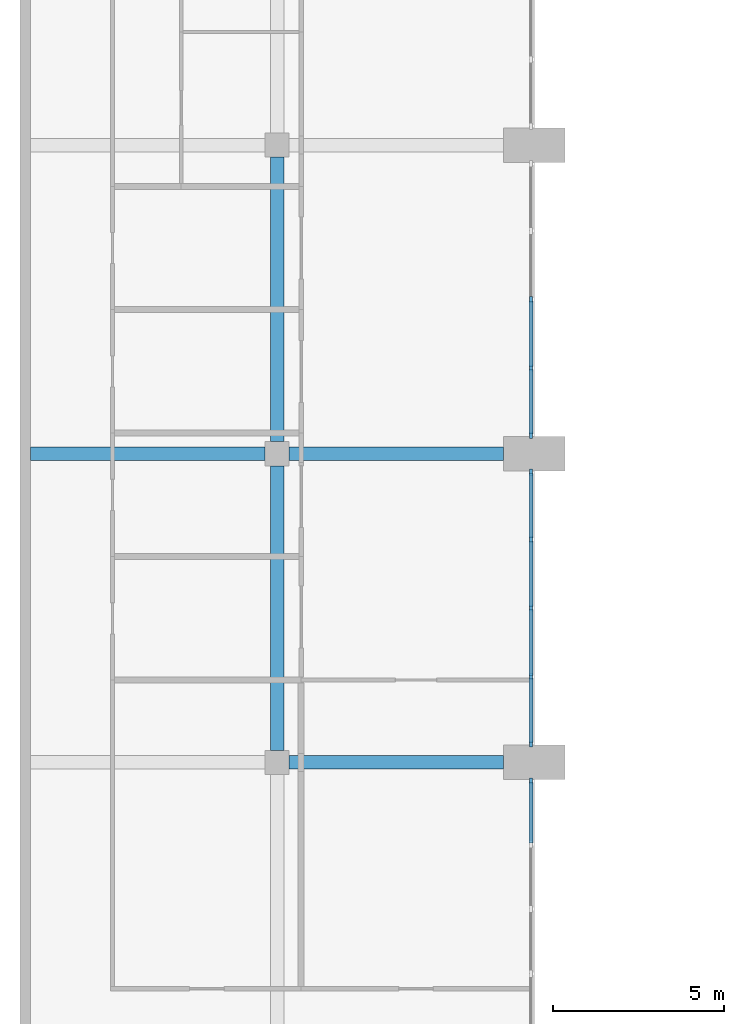
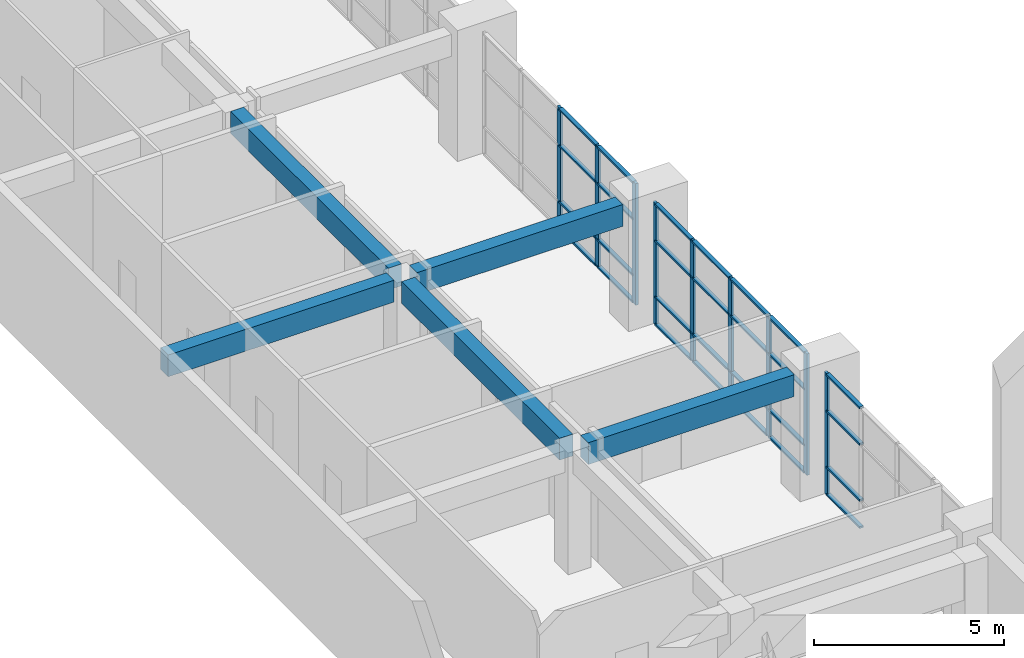
# One storey, part 4 of 45: 37 members, 5 beams, 3 elements without a shape of their own.
"""IFC4 building model written with IfcOpenShell, lengths in metres."""

from ifc_helpers import new_model, si_unit, direction, frame, origin, origin_2d, place, context, subcontext, project, spatial, rectangle, extrude, material, material_profile, profile_set, type_object, element, aggregate, save


model = new_model("IFC4")

# Units and contexts
model_context = context("Model", 3, precision=1e-05, world=origin(), true_north=direction((0.0, 1.0)))
body_context = subcontext(model_context, "Body", "Model", "MODEL_VIEW")
ifc_project = project(units=[si_unit("LENGTHUNIT", "METRE"), si_unit("AREAUNIT", "SQUARE_METRE"), si_unit("VOLUMEUNIT", "CUBIC_METRE"), si_unit("PLANEANGLEUNIT", "RADIAN"), si_unit("MASSUNIT", "GRAM", prefix="KILO")], contexts=[model_context])

# Site, building, storey
site_placement = place(None, origin())
site = spatial("IfcSite", under=ifc_project, at=site_placement, CompositionType="ELEMENT")
building_placement = place(site_placement, origin())
building = spatial("IfcBuilding", under=site, at=building_placement, Name="Elmora Arch Market Hall", CompositionType="ELEMENT")
storey_placement = place(building_placement, frame((0.0, 0.0, 6.0)))
storey = spatial("IfcBuildingStorey", under=building, at=storey_placement, Name="L01", CompositionType="ELEMENT", Elevation=6.0)

# Curtain wall, member
ifc_material_1 = material(Name="Aluminium", Category="aluminium")
curtain_wall_type = type_object("IfcCurtainWallType", Name="Hall front curtain wall", PredefinedType="NOTDEFINED", material=ifc_material_1)
curtain_wall_1_placement = place(storey_placement, origin())
curtain_wall_1 = element("IfcCurtainWall", 1, at=curtain_wall_1_placement, inside=storey, type_object=curtain_wall_type, Name="Wing front W L01 1", PredefinedType="NOTDEFINED")
ifc_material_2 = material(Name="Aluminium", Category="aluminium")
ifc_material_profile_1 = material_profile(ifc_material_2, rectangle(XDim=0.080078125, YDim=0.179931640625, at=origin_2d()), Name="AL 80x180")
ifc_profile_set_1 = profile_set([ifc_material_profile_1], Name="Aluminium")
member_type_1 = type_object("IfcMemberType", Name="Mullion 80x180", PredefinedType="MULLION", material=ifc_profile_set_1)
member_1_placement = place(storey_placement, frame((14.89990234375, 35.4599609375, 0.0), z_axis=(0.0, 0.0, 1.0), x_axis=(-1.0, 0.0, 0.0)))
member_1 = element("IfcMember", 2, at=member_1_placement, type_object=member_type_1, Name="CW2 mullion 5", PredefinedType="MULLION", context=body_context, shape_type="SweptSolid", body=[
    extrude(rectangle(XDim=0.080078125, YDim=0.179931640625, at=origin_2d()), origin(), (0.0, 0.0, 1.0), 3.89990234375),
])

# Curtain wall, members
curtain_wall_2_placement = place(storey_placement, origin())
curtain_wall_2 = element("IfcCurtainWall", 3, at=curtain_wall_2_placement, inside=storey, type_object=curtain_wall_type, Name="Wing front W L01 2", PredefinedType="NOTDEFINED")
member_2_placement = place(storey_placement, frame((14.89990234375, 36.5400390625, 0.0), z_axis=(0.0, 0.0, 1.0), x_axis=(-1.0, 0.0, 0.0)))
member_2 = element("IfcMember", 4, at=member_2_placement, type_object=member_type_1, Name="CW2 mullion 1", PredefinedType="MULLION", context=body_context, shape_type="SweptSolid", body=[
    extrude(rectangle(XDim=0.080078125, YDim=0.179931640625, at=origin_2d()), origin(), (0.0, 0.0, 1.0), 3.89990234375),
])
member_3_placement = place(storey_placement, frame((14.89990234375, 38.5, 0.0), z_axis=(0.0, 0.0, 1.0), x_axis=(-1.0, 0.0, 0.0)))
member_3 = element("IfcMember", 5, at=member_3_placement, type_object=member_type_1, Name="CW2 mullion 2", PredefinedType="MULLION", context=body_context, shape_type="SweptSolid", body=[
    extrude(rectangle(XDim=0.080078125, YDim=0.179931640625, at=origin_2d()), origin(), (0.0, 0.0, 1.0), 3.89990234375),
])
member_4_placement = place(storey_placement, frame((14.89990234375, 40.5, 0.0), z_axis=(0.0, 0.0, 1.0), x_axis=(-1.0, 0.0, 0.0)))
member_4 = element("IfcMember", 6, at=member_4_placement, type_object=member_type_1, Name="CW2 mullion 3", PredefinedType="MULLION", context=body_context, shape_type="SweptSolid", body=[
    extrude(rectangle(XDim=0.080078125, YDim=0.179931640625, at=origin_2d()), origin(), (0.0, 0.0, 1.0), 3.89990234375),
])
member_5_placement = place(storey_placement, frame((14.89990234375, 42.5, 0.0), z_axis=(0.0, 0.0, 1.0), x_axis=(-1.0, 0.0, 0.0)))
member_5 = element("IfcMember", 7, at=member_5_placement, type_object=member_type_1, Name="CW2 mullion 4", PredefinedType="MULLION", context=body_context, shape_type="SweptSolid", body=[
    extrude(rectangle(XDim=0.080078125, YDim=0.179931640625, at=origin_2d()), origin(), (0.0, 0.0, 1.0), 3.89990234375),
])
member_6_placement = place(storey_placement, frame((14.89990234375, 44.4599609375, 0.0), z_axis=(0.0, 0.0, 1.0), x_axis=(-1.0, 0.0, 0.0)))
member_6 = element("IfcMember", 8, at=member_6_placement, type_object=member_type_1, Name="CW2 mullion 5", PredefinedType="MULLION", context=body_context, shape_type="SweptSolid", body=[
    extrude(rectangle(XDim=0.080078125, YDim=0.179931640625, at=origin_2d()), origin(), (0.0, 0.0, 1.0), 3.89990234375),
])

curtain_wall_3_placement = place(storey_placement, origin())
curtain_wall_3 = element("IfcCurtainWall", 9, at=curtain_wall_3_placement, inside=storey, type_object=curtain_wall_type, Name="Wing front W L01 3", PredefinedType="NOTDEFINED")
member_7_placement = place(storey_placement, frame((14.89990234375, 45.5400390625, 0.0), z_axis=(0.0, 0.0, 1.0), x_axis=(-1.0, 0.0, 0.0)))
member_7 = element("IfcMember", 10, at=member_7_placement, type_object=member_type_1, Name="CW2 mullion 1", PredefinedType="MULLION", context=body_context, shape_type="SweptSolid", body=[
    extrude(rectangle(XDim=0.080078125, YDim=0.179931640625, at=origin_2d()), origin(), (0.0, 0.0, 1.0), 3.89990234375),
])
member_8_placement = place(storey_placement, frame((14.89990234375, 47.5, 0.0), z_axis=(0.0, 0.0, 1.0), x_axis=(-1.0, 0.0, 0.0)))
member_8 = element("IfcMember", 11, at=member_8_placement, type_object=member_type_1, Name="CW2 mullion 2", PredefinedType="MULLION", context=body_context, shape_type="SweptSolid", body=[
    extrude(rectangle(XDim=0.080078125, YDim=0.179931640625, at=origin_2d()), origin(), (0.0, 0.0, 1.0), 3.89990234375),
])
member_9_placement = place(storey_placement, frame((14.89990234375, 49.5, 0.0), z_axis=(0.0, 0.0, 1.0), x_axis=(-1.0, 0.0, 0.0)))
member_9 = element("IfcMember", 12, at=member_9_placement, type_object=member_type_1, Name="CW2 mullion 3", PredefinedType="MULLION", context=body_context, shape_type="SweptSolid", body=[
    extrude(rectangle(XDim=0.080078125, YDim=0.179931640625, at=origin_2d()), origin(), (0.0, 0.0, 1.0), 3.89990234375),
])

# Member
ifc_material_3 = material(Name="Aluminium", Category="aluminium")
ifc_material_profile_2 = material_profile(ifc_material_3, rectangle(XDim=0.1201171875, YDim=0.06005859375, at=origin_2d()), Name="AL 120x60")
ifc_profile_set_2 = profile_set([ifc_material_profile_2], Name="Aluminium")
member_type_2 = type_object("IfcMemberType", Name="Transom 120x60", PredefinedType="USERDEFINED", material=ifc_profile_set_2)
member_10_placement = place(storey_placement, frame((14.89990234375, 33.652587890625, 0.030029296875), z_axis=(0.0, 1.0, 0.0), x_axis=(-1.0, 0.0, 0.0)))
member_10 = element("IfcMember", 13, at=member_10_placement, type_object=member_type_2, Name="CW2 transom 4.1", ObjectType="TRANSOM", PredefinedType="USERDEFINED", context=body_context, shape_type="SweptSolid", body=[
    extrude(rectangle(XDim=0.1201171875, YDim=0.06005859375, at=origin_2d()), origin(), (0.0, 0.0, 1.0), 1.767333984375),
])

member_11_placement = place(storey_placement, frame((14.89990234375, 33.652587890625, 0.89990234375), z_axis=(0.0, 1.0, 0.0), x_axis=(-1.0, 0.0, 0.0)))
member_11 = element("IfcMember", 14, at=member_11_placement, type_object=member_type_2, Name="CW2 transom 4.2", ObjectType="TRANSOM", PredefinedType="USERDEFINED", context=body_context, shape_type="SweptSolid", body=[
    extrude(rectangle(XDim=0.1201171875, YDim=0.06005859375, at=origin_2d()), origin(), (0.0, 0.0, 1.0), 1.767333984375),
])

member_12_placement = place(storey_placement, frame((14.89990234375, 33.652587890625, 2.699951171875), z_axis=(0.0, 1.0, 0.0), x_axis=(-1.0, 0.0, 0.0)))
member_12 = element("IfcMember", 15, at=member_12_placement, type_object=member_type_2, Name="CW2 transom 4.3", ObjectType="TRANSOM", PredefinedType="USERDEFINED", context=body_context, shape_type="SweptSolid", body=[
    extrude(rectangle(XDim=0.1201171875, YDim=0.06005859375, at=origin_2d()), origin(), (0.0, 0.0, 1.0), 1.767333984375),
])

member_13_placement = place(storey_placement, frame((14.89990234375, 33.652587890625, 3.8701171875), z_axis=(0.0, 1.0, 0.0), x_axis=(-1.0, 0.0, 0.0)))
member_13 = element("IfcMember", 16, at=member_13_placement, type_object=member_type_2, Name="CW2 transom 4.4", ObjectType="TRANSOM", PredefinedType="USERDEFINED", context=body_context, shape_type="SweptSolid", body=[
    extrude(rectangle(XDim=0.1201171875, YDim=0.06005859375, at=origin_2d()), origin(), (0.0, 0.0, 1.0), 1.767333984375),
])

aggregate(curtain_wall_1, [member_1, member_10, member_11, member_12, member_13])

member_14_placement = place(storey_placement, frame((14.89990234375, 36.580078125, 0.030029296875), z_axis=(0.0, 1.0, 0.0), x_axis=(-1.0, 0.0, 0.0)))
member_14 = element("IfcMember", 17, at=member_14_placement, type_object=member_type_2, Name="CW2 transom 1.1", ObjectType="TRANSOM", PredefinedType="USERDEFINED", context=body_context, shape_type="SweptSolid", body=[
    extrude(rectangle(XDim=0.1201171875, YDim=0.06005859375, at=origin_2d()), origin(), (0.0, 0.0, 1.0), 1.8798828125),
])

member_15_placement = place(storey_placement, frame((14.89990234375, 36.580078125, 0.89990234375), z_axis=(0.0, 1.0, 0.0), x_axis=(-1.0, 0.0, 0.0)))
member_15 = element("IfcMember", 18, at=member_15_placement, type_object=member_type_2, Name="CW2 transom 1.2", ObjectType="TRANSOM", PredefinedType="USERDEFINED", context=body_context, shape_type="SweptSolid", body=[
    extrude(rectangle(XDim=0.1201171875, YDim=0.06005859375, at=origin_2d()), origin(), (0.0, 0.0, 1.0), 1.8798828125),
])

member_16_placement = place(storey_placement, frame((14.89990234375, 36.580078125, 2.699951171875), z_axis=(0.0, 1.0, 0.0), x_axis=(-1.0, 0.0, 0.0)))
member_16 = element("IfcMember", 19, at=member_16_placement, type_object=member_type_2, Name="CW2 transom 1.3", ObjectType="TRANSOM", PredefinedType="USERDEFINED", context=body_context, shape_type="SweptSolid", body=[
    extrude(rectangle(XDim=0.1201171875, YDim=0.06005859375, at=origin_2d()), origin(), (0.0, 0.0, 1.0), 1.8798828125),
])

member_17_placement = place(storey_placement, frame((14.89990234375, 36.580078125, 3.8701171875), z_axis=(0.0, 1.0, 0.0), x_axis=(-1.0, 0.0, 0.0)))
member_17 = element("IfcMember", 20, at=member_17_placement, type_object=member_type_2, Name="CW2 transom 1.4", ObjectType="TRANSOM", PredefinedType="USERDEFINED", context=body_context, shape_type="SweptSolid", body=[
    extrude(rectangle(XDim=0.1201171875, YDim=0.06005859375, at=origin_2d()), origin(), (0.0, 0.0, 1.0), 1.8798828125),
])

member_18_placement = place(storey_placement, frame((14.89990234375, 38.5400390625, 0.030029296875), z_axis=(0.0, 1.0, 0.0), x_axis=(-1.0, 0.0, 0.0)))
member_18 = element("IfcMember", 21, at=member_18_placement, type_object=member_type_2, Name="CW2 transom 2.1", ObjectType="TRANSOM", PredefinedType="USERDEFINED", context=body_context, shape_type="SweptSolid", body=[
    extrude(rectangle(XDim=0.1201171875, YDim=0.06005859375, at=origin_2d()), origin(), (0.0, 0.0, 1.0), 1.919921875),
])

member_19_placement = place(storey_placement, frame((14.89990234375, 38.5400390625, 0.89990234375), z_axis=(0.0, 1.0, 0.0), x_axis=(-1.0, 0.0, 0.0)))
member_19 = element("IfcMember", 22, at=member_19_placement, type_object=member_type_2, Name="CW2 transom 2.2", ObjectType="TRANSOM", PredefinedType="USERDEFINED", context=body_context, shape_type="SweptSolid", body=[
    extrude(rectangle(XDim=0.1201171875, YDim=0.06005859375, at=origin_2d()), origin(), (0.0, 0.0, 1.0), 1.919921875),
])

member_20_placement = place(storey_placement, frame((14.89990234375, 38.5400390625, 2.699951171875), z_axis=(0.0, 1.0, 0.0), x_axis=(-1.0, 0.0, 0.0)))
member_20 = element("IfcMember", 23, at=member_20_placement, type_object=member_type_2, Name="CW2 transom 2.3", ObjectType="TRANSOM", PredefinedType="USERDEFINED", context=body_context, shape_type="SweptSolid", body=[
    extrude(rectangle(XDim=0.1201171875, YDim=0.06005859375, at=origin_2d()), origin(), (0.0, 0.0, 1.0), 1.919921875),
])

member_21_placement = place(storey_placement, frame((14.89990234375, 38.5400390625, 3.8701171875), z_axis=(0.0, 1.0, 0.0), x_axis=(-1.0, 0.0, 0.0)))
member_21 = element("IfcMember", 24, at=member_21_placement, type_object=member_type_2, Name="CW2 transom 2.4", ObjectType="TRANSOM", PredefinedType="USERDEFINED", context=body_context, shape_type="SweptSolid", body=[
    extrude(rectangle(XDim=0.1201171875, YDim=0.06005859375, at=origin_2d()), origin(), (0.0, 0.0, 1.0), 1.919921875),
])

member_22_placement = place(storey_placement, frame((14.89990234375, 40.5400390625, 0.030029296875), z_axis=(0.0, 1.0, 0.0), x_axis=(-1.0, 0.0, 0.0)))
member_22 = element("IfcMember", 25, at=member_22_placement, type_object=member_type_2, Name="CW2 transom 3.1", ObjectType="TRANSOM", PredefinedType="USERDEFINED", context=body_context, shape_type="SweptSolid", body=[
    extrude(rectangle(XDim=0.1201171875, YDim=0.06005859375, at=origin_2d()), origin(), (0.0, 0.0, 1.0), 1.919921875),
])

member_23_placement = place(storey_placement, frame((14.89990234375, 40.5400390625, 0.89990234375), z_axis=(0.0, 1.0, 0.0), x_axis=(-1.0, 0.0, 0.0)))
member_23 = element("IfcMember", 26, at=member_23_placement, type_object=member_type_2, Name="CW2 transom 3.2", ObjectType="TRANSOM", PredefinedType="USERDEFINED", context=body_context, shape_type="SweptSolid", body=[
    extrude(rectangle(XDim=0.1201171875, YDim=0.06005859375, at=origin_2d()), origin(), (0.0, 0.0, 1.0), 1.919921875),
])

member_24_placement = place(storey_placement, frame((14.89990234375, 40.5400390625, 2.699951171875), z_axis=(0.0, 1.0, 0.0), x_axis=(-1.0, 0.0, 0.0)))
member_24 = element("IfcMember", 27, at=member_24_placement, type_object=member_type_2, Name="CW2 transom 3.3", ObjectType="TRANSOM", PredefinedType="USERDEFINED", context=body_context, shape_type="SweptSolid", body=[
    extrude(rectangle(XDim=0.1201171875, YDim=0.06005859375, at=origin_2d()), origin(), (0.0, 0.0, 1.0), 1.919921875),
])

member_25_placement = place(storey_placement, frame((14.89990234375, 40.5400390625, 3.8701171875), z_axis=(0.0, 1.0, 0.0), x_axis=(-1.0, 0.0, 0.0)))
member_25 = element("IfcMember", 28, at=member_25_placement, type_object=member_type_2, Name="CW2 transom 3.4", ObjectType="TRANSOM", PredefinedType="USERDEFINED", context=body_context, shape_type="SweptSolid", body=[
    extrude(rectangle(XDim=0.1201171875, YDim=0.06005859375, at=origin_2d()), origin(), (0.0, 0.0, 1.0), 1.919921875),
])

member_26_placement = place(storey_placement, frame((14.89990234375, 42.5400390625, 0.030029296875), z_axis=(0.0, 1.0, 0.0), x_axis=(-1.0, 0.0, 0.0)))
member_26 = element("IfcMember", 29, at=member_26_placement, type_object=member_type_2, Name="CW2 transom 4.1", ObjectType="TRANSOM", PredefinedType="USERDEFINED", context=body_context, shape_type="SweptSolid", body=[
    extrude(rectangle(XDim=0.1201171875, YDim=0.06005859375, at=origin_2d()), origin(), (0.0, 0.0, 1.0), 1.8798828125),
])

member_27_placement = place(storey_placement, frame((14.89990234375, 42.5400390625, 0.89990234375), z_axis=(0.0, 1.0, 0.0), x_axis=(-1.0, 0.0, 0.0)))
member_27 = element("IfcMember", 30, at=member_27_placement, type_object=member_type_2, Name="CW2 transom 4.2", ObjectType="TRANSOM", PredefinedType="USERDEFINED", context=body_context, shape_type="SweptSolid", body=[
    extrude(rectangle(XDim=0.1201171875, YDim=0.06005859375, at=origin_2d()), origin(), (0.0, 0.0, 1.0), 1.8798828125),
])

member_28_placement = place(storey_placement, frame((14.89990234375, 42.5400390625, 2.699951171875), z_axis=(0.0, 1.0, 0.0), x_axis=(-1.0, 0.0, 0.0)))
member_28 = element("IfcMember", 31, at=member_28_placement, type_object=member_type_2, Name="CW2 transom 4.3", ObjectType="TRANSOM", PredefinedType="USERDEFINED", context=body_context, shape_type="SweptSolid", body=[
    extrude(rectangle(XDim=0.1201171875, YDim=0.06005859375, at=origin_2d()), origin(), (0.0, 0.0, 1.0), 1.8798828125),
])

member_29_placement = place(storey_placement, frame((14.89990234375, 42.5400390625, 3.8701171875), z_axis=(0.0, 1.0, 0.0), x_axis=(-1.0, 0.0, 0.0)))
member_29 = element("IfcMember", 32, at=member_29_placement, type_object=member_type_2, Name="CW2 transom 4.4", ObjectType="TRANSOM", PredefinedType="USERDEFINED", context=body_context, shape_type="SweptSolid", body=[
    extrude(rectangle(XDim=0.1201171875, YDim=0.06005859375, at=origin_2d()), origin(), (0.0, 0.0, 1.0), 1.8798828125),
])

aggregate(curtain_wall_2, [member_2, member_3, member_4, member_5, member_6, member_14, member_15, member_16, member_17, member_18, member_19, member_20, member_21, member_22, member_23, member_24, member_25, member_26, member_27, member_28, member_29])

member_30_placement = place(storey_placement, frame((14.89990234375, 45.580078125, 0.030029296875), z_axis=(0.0, 1.0, 0.0), x_axis=(-1.0, 0.0, 0.0)))
member_30 = element("IfcMember", 33, at=member_30_placement, type_object=member_type_2, Name="CW2 transom 1.1", ObjectType="TRANSOM", PredefinedType="USERDEFINED", context=body_context, shape_type="SweptSolid", body=[
    extrude(rectangle(XDim=0.1201171875, YDim=0.06005859375, at=origin_2d()), origin(), (0.0, 0.0, 1.0), 1.8798828125),
])

member_31_placement = place(storey_placement, frame((14.89990234375, 45.580078125, 0.89990234375), z_axis=(0.0, 1.0, 0.0), x_axis=(-1.0, 0.0, 0.0)))
member_31 = element("IfcMember", 34, at=member_31_placement, type_object=member_type_2, Name="CW2 transom 1.2", ObjectType="TRANSOM", PredefinedType="USERDEFINED", context=body_context, shape_type="SweptSolid", body=[
    extrude(rectangle(XDim=0.1201171875, YDim=0.06005859375, at=origin_2d()), origin(), (0.0, 0.0, 1.0), 1.8798828125),
])

member_32_placement = place(storey_placement, frame((14.89990234375, 45.580078125, 2.699951171875), z_axis=(0.0, 1.0, 0.0), x_axis=(-1.0, 0.0, 0.0)))
member_32 = element("IfcMember", 35, at=member_32_placement, type_object=member_type_2, Name="CW2 transom 1.3", ObjectType="TRANSOM", PredefinedType="USERDEFINED", context=body_context, shape_type="SweptSolid", body=[
    extrude(rectangle(XDim=0.1201171875, YDim=0.06005859375, at=origin_2d()), origin(), (0.0, 0.0, 1.0), 1.8798828125),
])

member_33_placement = place(storey_placement, frame((14.89990234375, 45.580078125, 3.8701171875), z_axis=(0.0, 1.0, 0.0), x_axis=(-1.0, 0.0, 0.0)))
member_33 = element("IfcMember", 36, at=member_33_placement, type_object=member_type_2, Name="CW2 transom 1.4", ObjectType="TRANSOM", PredefinedType="USERDEFINED", context=body_context, shape_type="SweptSolid", body=[
    extrude(rectangle(XDim=0.1201171875, YDim=0.06005859375, at=origin_2d()), origin(), (0.0, 0.0, 1.0), 1.8798828125),
])

member_34_placement = place(storey_placement, frame((14.89990234375, 47.5400390625, 0.030029296875), z_axis=(0.0, 1.0, 0.0), x_axis=(-1.0, 0.0, 0.0)))
member_34 = element("IfcMember", 37, at=member_34_placement, type_object=member_type_2, Name="CW2 transom 2.1", ObjectType="TRANSOM", PredefinedType="USERDEFINED", context=body_context, shape_type="SweptSolid", body=[
    extrude(rectangle(XDim=0.1201171875, YDim=0.06005859375, at=origin_2d()), origin(), (0.0, 0.0, 1.0), 1.919921875),
])

member_35_placement = place(storey_placement, frame((14.89990234375, 47.5400390625, 0.89990234375), z_axis=(0.0, 1.0, 0.0), x_axis=(-1.0, 0.0, 0.0)))
member_35 = element("IfcMember", 38, at=member_35_placement, type_object=member_type_2, Name="CW2 transom 2.2", ObjectType="TRANSOM", PredefinedType="USERDEFINED", context=body_context, shape_type="SweptSolid", body=[
    extrude(rectangle(XDim=0.1201171875, YDim=0.06005859375, at=origin_2d()), origin(), (0.0, 0.0, 1.0), 1.919921875),
])

member_36_placement = place(storey_placement, frame((14.89990234375, 47.5400390625, 2.699951171875), z_axis=(0.0, 1.0, 0.0), x_axis=(-1.0, 0.0, 0.0)))
member_36 = element("IfcMember", 39, at=member_36_placement, type_object=member_type_2, Name="CW2 transom 2.3", ObjectType="TRANSOM", PredefinedType="USERDEFINED", context=body_context, shape_type="SweptSolid", body=[
    extrude(rectangle(XDim=0.1201171875, YDim=0.06005859375, at=origin_2d()), origin(), (0.0, 0.0, 1.0), 1.919921875),
])

member_37_placement = place(storey_placement, frame((14.89990234375, 47.5400390625, 3.8701171875), z_axis=(0.0, 1.0, 0.0), x_axis=(-1.0, 0.0, 0.0)))
member_37 = element("IfcMember", 40, at=member_37_placement, type_object=member_type_2, Name="CW2 transom 2.4", ObjectType="TRANSOM", PredefinedType="USERDEFINED", context=body_context, shape_type="SweptSolid", body=[
    extrude(rectangle(XDim=0.1201171875, YDim=0.06005859375, at=origin_2d()), origin(), (0.0, 0.0, 1.0), 1.919921875),
])

aggregate(curtain_wall_3, [member_7, member_8, member_9, member_30, member_31, member_32, member_33, member_34, member_35, member_36, member_37])

# Beams
ifc_material_4 = material(Name="Concrete C32/40", Category="concrete")
ifc_material_profile_3 = material_profile(ifc_material_4, rectangle(XDim=0.39990234375, YDim=0.699951171875, at=origin_2d()), Name="Wing beam 400x700")
ifc_profile_set_3 = profile_set([ifc_material_profile_3], Name="Concrete C32/40")
beam_type = type_object("IfcBeamType", Name="Wing beam 400x700", PredefinedType="BEAM", material=ifc_profile_set_3)
beam_1_placement = place(storey_placement, frame((7.85009765625, 36.0, 3.550048828125), z_axis=(1.0, 0.0, 0.0), x_axis=(0.0, 1.0, 0.0)))
element("IfcBeam", 41, at=beam_1_placement, inside=storey, type_object=beam_type, Name="Wing beam WR2 L01.2", PredefinedType="BEAM", context=body_context, shape_type="SweptSolid", body=[
    extrude(rectangle(XDim=0.39990234375, YDim=0.699951171875, at=origin_2d()), origin(), (0.0, 0.0, 1.0), 6.25),
])
beam_2_placement = place(storey_placement, frame((0.300048828125, 45.0, 3.550048828125), z_axis=(1.0, 0.0, 0.0), x_axis=(0.0, 1.0, 0.0)))
element("IfcBeam", 42, at=beam_2_placement, inside=storey, type_object=beam_type, Name="Wing beam WR3 L01.1", PredefinedType="BEAM", context=body_context, shape_type="SweptSolid", body=[
    extrude(rectangle(XDim=0.39990234375, YDim=0.699951171875, at=origin_2d()), origin(), (0.0, 0.0, 1.0), 6.849853515625),
])
beam_3_placement = place(storey_placement, frame((7.85009765625, 45.0, 3.550048828125), z_axis=(1.0, 0.0, 0.0), x_axis=(0.0, 1.0, 0.0)))
element("IfcBeam", 43, at=beam_3_placement, inside=storey, type_object=beam_type, Name="Wing beam WR3 L01.2", PredefinedType="BEAM", context=body_context, shape_type="SweptSolid", body=[
    extrude(rectangle(XDim=0.39990234375, YDim=0.699951171875, at=origin_2d()), origin(), (0.0, 0.0, 1.0), 6.25),
])
for number, where, z_axis, x_axis, name in (
    (44, (7.5, 36.35009765625, 3.550048828125), (0.0, 1.0, 0.0), (-1.0, 0.0, 0.0), "Wing beam WG L01.2"),
    (45, (7.5, 45.35009765625, 3.550048828125), (0.0, 1.0, 0.0), (-1.0, 0.0, 0.0), "Wing beam WG L01.3"),
):
    element("IfcBeam", number, at=place(storey_placement, frame(where, z_axis=z_axis, x_axis=x_axis)), inside=storey, type_object=beam_type, Name=name, PredefinedType="BEAM", context=body_context, shape_type="SweptSolid", body=[
        extrude(rectangle(XDim=0.39990234375, YDim=0.699951171875, at=origin_2d()), origin(), (0.0, 0.0, 1.0), 8.2998046875),
    ])

save(model, "model.ifc")
